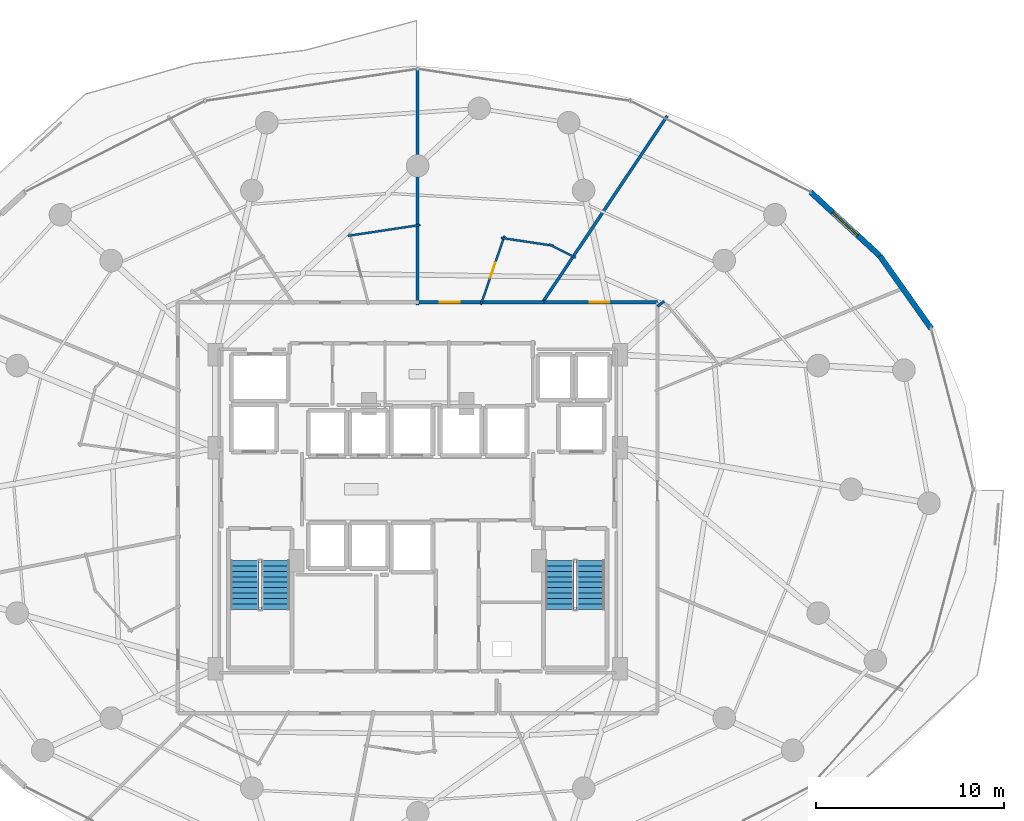
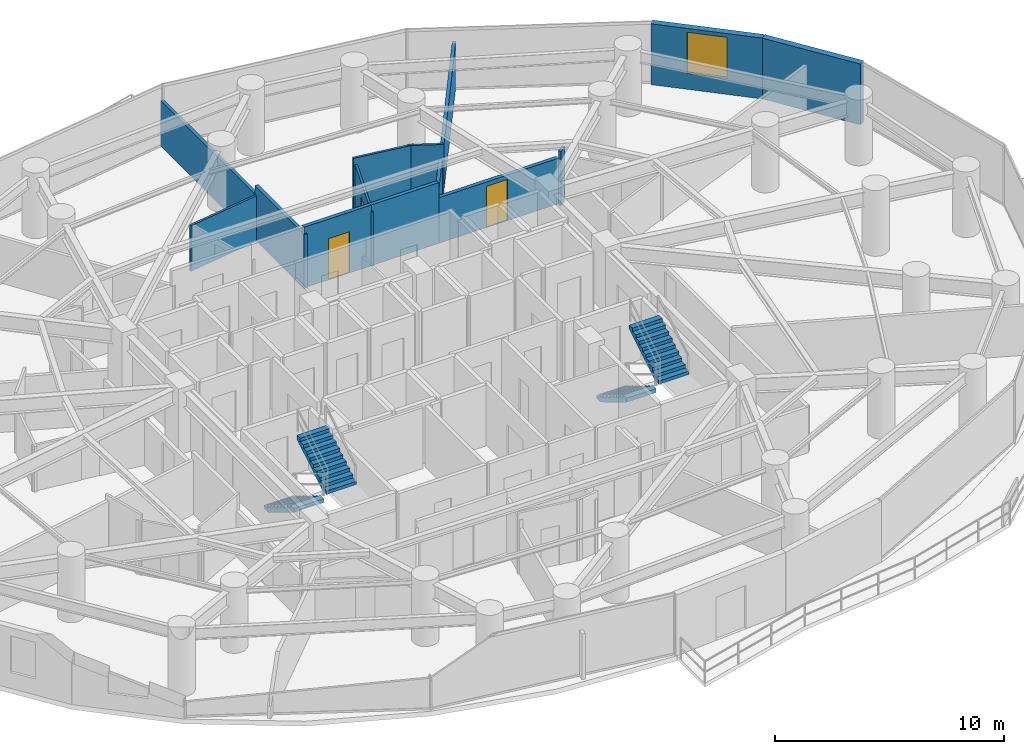
# One storey, part 31 of 35: 13 walls, 4 stair flights, 3 doors, 1 window, 4 openings, 2 elements without a shape of their own.
"""IFC4 building model written with IfcOpenShell, lengths in metres."""

from ifc_helpers import new_model, si_unit, direction, frame, frame_2d, origin, place, context, subcontext, project, spatial, polyline, rectangle, outline, extrude, material, layer, layer_set, type_object, element, fill, aggregate, save


model = new_model("IFC4")

# Units and contexts
model_context = context("Model", 3, precision=1e-05, world=origin(), true_north=direction((0.0, 1.0)))
body_context = subcontext(model_context, "Body", "Model", "MODEL_VIEW")
ifc_project = project(units=[si_unit("LENGTHUNIT", "METRE"), si_unit("AREAUNIT", "SQUARE_METRE"), si_unit("VOLUMEUNIT", "CUBIC_METRE"), si_unit("PLANEANGLEUNIT", "RADIAN"), si_unit("MASSUNIT", "GRAM", prefix="KILO")], contexts=[model_context])

# Site, building, storey
site_placement = place(None, origin())
site = spatial("IfcSite", under=ifc_project, at=site_placement, CompositionType="ELEMENT")
building_placement = place(site_placement, origin())
building = spatial("IfcBuilding", under=site, at=building_placement, Name="Vorneva Point Tower", CompositionType="ELEMENT")
storey_placement = place(building_placement, frame((0.0, 0.0, 52.0)))
storey = spatial("IfcBuildingStorey", under=building, at=storey_placement, Name="L13", CompositionType="ELEMENT", Elevation=52.0)

# Wall
ifc_material_1 = material(Name="Precast concrete B50 (C40/50)", Category="concrete")
ifc_layer_1 = layer(ifc_material_1, 0.300048828125)
ifc_layer_set_1 = layer_set([ifc_layer_1], Name="Precast concrete B50 (C40/50)")
wall_type_1 = type_object("IfcWallType", Name="WL-EXT-300", PredefinedType="STANDARD", material=ifc_layer_set_1)
wall_1_placement = place(storey_placement, frame((65.300537109375, 34.552978515625, 0.0), z_axis=(0.0, 0.0, 1.0), x_axis=(-0.577130815624, 0.816651713803, 0.0)))
element("IfcWall", 1, at=wall_1_placement, inside=storey, type_object=wall_type_1, Name="L13 Pale-Metal Facade Spandrel Wall 02.1", PredefinedType="STANDARD", context=body_context, shape_type="SweptSolid", body=[
    extrude(rectangle(XDim=4.7314453125, YDim=0.300048828125, at=frame_2d((2.36572265625, 0.0))), origin(), (0.0, 0.0, 1.0), 3.239990234375),
])

# Wall, opening, window
wall_2_placement = place(storey_placement, frame((62.56982421875, 38.4169921875, 0.0), z_axis=(0.0, 0.0, 1.0), x_axis=(-0.735342629635, 0.677695519419, 0.0)))
wall_2 = element("IfcWall", 2, at=wall_2_placement, inside=storey, type_object=wall_type_1, Name="L13 Pale-Metal Facade Spandrel Wall 02.2", PredefinedType="STANDARD", context=body_context, shape_type="SweptSolid", body=[
    extrude(rectangle(XDim=4.997314453125, YDim=0.300048828125, at=frame_2d((2.49853515625, 0.0))), origin(), (0.0, 0.0, 1.0), 3.239990234375),
])
opening_1_placement = place(wall_2_placement, frame((1.598876953125, 0.0, 0.85009765625)))
opening_1 = element("IfcOpeningElement", 3, at=opening_1_placement, cuts=wall_2, Name="Opening W-01", PredefinedType="OPENING", context=body_context, shape_type="SweptSolid", body=[
    extrude(rectangle(XDim=1.800048828125, YDim=2.18994140625, at=frame_2d((0.89990234375, 1.094970703125))), frame((0.0, 0.1650390625, 0.0), z_axis=(0.0, -1.0, 0.0), x_axis=(1.0, 0.0, 0.0)), (0.0, 0.0, 1.0), 0.329833984375),
])
ifc_material_2 = material(Name="Double low-e laminated glass IGU", Category="glass")
window_type = type_object("IfcWindowType", Name="WN-LOG-1800", PartitioningType="SINGLE_PANEL", PredefinedType="WINDOW", material=ifc_material_2)
window_placement = place(opening_1_placement, origin())
window = element("IfcWindow", 4, at=window_placement, inside=storey, type_object=window_type, Name="L13 Facade Window 02", OverallHeight=2.18994140625, OverallWidth=1.800048828125, PartitioningType="SINGLE_PANEL", PredefinedType="WINDOW", context=body_context, shape_type="SweptSolid", body=[
    extrude(rectangle(XDim=1.800048828125, YDim=2.18994140625, at=frame_2d((0.89990234375, 1.094970703125))), frame((0.0, 0.030029296875, 0.0), z_axis=(0.0, -1.0, 0.0), x_axis=(1.0, 0.0, 0.0)), (0.0, 0.0, 1.0), 0.06005859375),
])
fill(opening_1, window)

# Walls
ifc_material_3 = material(Name="Fire-rated acoustic gypsum stud partition", Category="gypsum")
ifc_layer_2 = layer(ifc_material_3, 0.110107421875)
ifc_layer_set_2 = layer_set([ifc_layer_2], Name="Fire-rated acoustic gypsum stud partition")
wall_type_2 = type_object("IfcWallType", Name="WL-PART-110", PredefinedType="PARTITIONING", material=ifc_layer_set_2)
wall_3_placement = place(storey_placement, frame((42.431640625, 39.369873046875, 0.0), z_axis=(0.0, 0.0, 1.0), x_axis=(0.988877663763, -0.148731187416, 0.0)))
element("IfcWall", 5, at=wall_3_placement, inside=storey, type_object=wall_type_2, Name="L13 Interior Partition 054", PredefinedType="PARTITIONING", context=body_context, shape_type="SweptSolid", body=[
    extrude(rectangle(XDim=2.84130859375, YDim=0.110107421875, at=frame_2d((1.420654296875, 0.0))), origin(), (0.0, 0.0, 1.0), 3.239990234375),
])
wall_4_placement = place(storey_placement, frame((44.97802734375, 39.03125, 0.0), z_axis=(0.0, 0.0, 1.0), x_axis=(0.892388427115, -0.451268096758, 0.0)))
element("IfcWall", 6, at=wall_4_placement, inside=storey, type_object=wall_type_2, Name="L13 Interior Partition 055", PredefinedType="PARTITIONING", context=body_context, shape_type="SweptSolid", body=[
    extrude(rectangle(XDim=1.587890625, YDim=0.110107421875, at=frame_2d((0.7939453125, 0.0))), origin(), (0.0, 0.0, 1.0), 3.239990234375),
])

# Wall, opening, door
wall_5_placement = place(storey_placement, frame((41.36181640625, 35.8173828125, 0.0), z_axis=(0.0, 0.0, 1.0), x_axis=(0.323669856167, 0.946170082072, 0.0)))
wall_5 = element("IfcWall", 7, at=wall_5_placement, inside=storey, type_object=wall_type_2, Name="L13 Interior Partition 056", PredefinedType="PARTITIONING", context=body_context, shape_type="SweptSolid", body=[
    extrude(rectangle(XDim=3.87255859375, YDim=0.110107421875, at=frame_2d((1.936279296875, 0.0))), origin(), (0.0, 0.0, 1.0), 2.885986328125),
])
opening_2_placement = place(wall_5_placement, frame((1.51123046875, 0.0, 0.0)))
opening_2 = element("IfcOpeningElement", 8, at=opening_2_placement, cuts=wall_5, Name="Opening ID-02", PredefinedType="OPENING", context=body_context, shape_type="SweptSolid", body=[
    extrude(rectangle(XDim=0.85009765625, YDim=2.10009765625, at=frame_2d((0.425048828125, 1.050048828125))), frame((0.0, 0.06982421875, 0.0), z_axis=(0.0, -1.0, 0.0), x_axis=(1.0, 0.0, 0.0)), (0.0, 0.0, 1.0), 0.139892578125),
])
ifc_material_4 = material(Name="Engineered oak fire-rated door leaf", Category="wood")
door_type_1 = type_object("IfcDoorType", Name="DR-BATH-850", OperationType="NOTDEFINED", PredefinedType="DOOR", material=ifc_material_4)
door_1_placement = place(opening_2_placement, origin())
door_1 = element("IfcDoor", 9, at=door_1_placement, inside=storey, type_object=door_type_1, Name="L13 Door Junior Suite L13-02 / En-Suite Bathroom L13-02", OperationType="SINGLE_SWING_RIGHT", OverallHeight=2.10009765625, OverallWidth=0.85009765625, PredefinedType="DOOR", context=body_context, shape_type="SweptSolid", body=[
    extrude(rectangle(XDim=0.85009765625, YDim=2.10009765625, at=frame_2d((0.425048828125, 1.050048828125))), frame((0.0, 0.02490234375, 0.0), z_axis=(0.0, -1.0, 0.0), x_axis=(1.0, 0.0, 0.0)), (0.0, 0.0, 1.0), 0.050048828125),
])
fill(opening_2, door_1)

# Walls
wall_6_placement = place(storey_placement, frame((34.28271484375, 39.477294921875, 0.0), z_axis=(0.0, 0.0, 1.0), x_axis=(0.988889916837, 0.148649696864, 0.0)))
element("IfcWall", 10, at=wall_6_placement, inside=storey, type_object=wall_type_2, Name="L13 Interior Partition 059", PredefinedType="PARTITIONING", context=body_context, shape_type="SweptSolid", body=[
    extrude(rectangle(XDim=3.89892578125, YDim=0.110107421875, at=frame_2d((1.949462890625, 0.0))), origin(), (0.0, 0.0, 1.0), 2.431884765625),
])
ifc_layer_3 = layer(ifc_material_3, 0.139892578125)
ifc_layer_set_3 = layer_set([ifc_layer_3], Name="Fire-rated acoustic gypsum stud partition")
wall_type_3 = type_object("IfcWallType", Name="WL-PART-140", PredefinedType="PARTITIONING", material=ifc_layer_set_3)
wall_7_placement = place(storey_placement, frame((51.09912109375, 35.9970703125, 0.0), z_axis=(0.0, 0.0, 1.0), x_axis=(-0.794185002189, -0.607676050456, 0.0)))
element("IfcWall", 11, at=wall_7_placement, inside=storey, type_object=wall_type_3, Name="L13 Interior Closure Partition 108", PredefinedType="PARTITIONING", context=body_context, shape_type="SweptSolid", body=[
    extrude(rectangle(XDim=0.441162109375, YDim=0.139892578125, at=frame_2d((0.220703125, 0.0))), origin(), (0.0, 0.0, 1.0), 2.885986328125),
])
ifc_layer_4 = layer(ifc_material_3, 0.159912109375)
ifc_layer_set_4 = layer_set([ifc_layer_4], Name="Fire-rated acoustic gypsum stud partition")
wall_type_4 = type_object("IfcWallType", Name="WL-PART-160", PredefinedType="PARTITIONING", material=ifc_layer_set_4)
wall_8_placement = place(storey_placement, frame((51.26708984375, 45.85595703125, 0.0), z_axis=(0.0, 0.0, 1.0), x_axis=(-0.55557946655, -0.831463442581, 0.0)))
element("IfcWall", 12, at=wall_8_placement, inside=storey, type_object=wall_type_4, Name="L13 Interior Partition 052", PredefinedType="PARTITIONING", context=body_context, shape_type="SweptSolid", body=[
    extrude(rectangle(XDim=11.913818359375, YDim=0.159912109375, at=frame_2d((5.95703125, 0.0))), origin(), (0.0, 0.0, 1.0), 2.431884765625),
])
wall_9_placement = place(storey_placement, frame((38.0, 48.35009765625, 0.0), z_axis=(0.0, 0.0, 1.0), x_axis=(0.0, -1.0, 0.0)))
element("IfcWall", 13, at=wall_9_placement, inside=storey, type_object=wall_type_4, Name="L13 Interior Partition 057", PredefinedType="PARTITIONING", context=body_context, shape_type="SweptSolid", body=[
    extrude(rectangle(XDim=8.375, YDim=0.159912109375, at=frame_2d((4.1875, 0.0))), origin(), (0.0, 0.0, 1.0), 2.431884765625),
])
wall_10_placement = place(storey_placement, frame((38.0, 40.114990234375, 0.0), z_axis=(0.0, 0.0, 1.0), x_axis=(0.0, -1.0, 0.0)))
element("IfcWall", 14, at=wall_10_placement, inside=storey, type_object=wall_type_4, Name="L13 Interior Partition 058", PredefinedType="PARTITIONING", context=body_context, shape_type="SweptSolid", body=[
    extrude(rectangle(XDim=4.304931640625, YDim=0.159912109375, at=frame_2d((2.15234375, 0.0))), origin(), (0.0, 0.0, 1.0), 2.885986328125),
])

# Wall, opening, door
ifc_material_5 = material(Name="Autoclaved aerated concrete blockwork", Category="masonry")
ifc_layer_5 = layer(ifc_material_5, 0.179931640625)
ifc_layer_set_5 = layer_set([ifc_layer_5], Name="Autoclaved aerated concrete blockwork")
wall_type_5 = type_object("IfcWallType", Name="WL-PART-180", PredefinedType="PARTITIONING", material=ifc_layer_set_5)
wall_11_placement = place(storey_placement, frame((50.75, 35.949951171875, 0.0), z_axis=(0.0, 0.0, 1.0), x_axis=(-1.0, 0.0, 0.0)))
wall_11 = element("IfcWall", 15, at=wall_11_placement, inside=storey, type_object=wall_type_5, Name="L13 Interior Partition 026", PredefinedType="PARTITIONING", context=body_context, shape_type="SweptSolid", body=[
    extrude(rectangle(XDim=6.162109375, YDim=0.179931640625, at=frame_2d((3.0810546875, 0.0))), origin(), (0.0, 0.0, 1.0), 2.431884765625),
])
opening_3_placement = place(wall_11_placement, frame((2.555908203125, 0.0, 0.0)))
opening_3 = element("IfcOpeningElement", 16, at=opening_3_placement, cuts=wall_11, Name="Opening UD-02", PredefinedType="OPENING", context=body_context, shape_type="SweptSolid", body=[
    extrude(rectangle(XDim=1.050048828125, YDim=2.199951171875, at=frame_2d((0.52490234375, 1.10009765625))), frame((0.0, 0.10498046875, 0.0), z_axis=(0.0, -1.0, 0.0), x_axis=(1.0, 0.0, 0.0)), (0.0, 0.0, 1.0), 0.209716796875),
])
door_type_2 = type_object("IfcDoorType", Name="DR-SUITE-1050", OperationType="NOTDEFINED", PredefinedType="DOOR", material=ifc_material_4)
door_2_placement = place(opening_3_placement, origin())
door_2 = element("IfcDoor", 17, at=door_2_placement, inside=storey, type_object=door_type_2, Name="L13 Door L13 Circulation Corridor / Corner Suite L13-01", OperationType="SINGLE_SWING_LEFT", OverallHeight=2.199951171875, OverallWidth=1.050048828125, PredefinedType="DOOR", context=body_context, shape_type="SweptSolid", body=[
    extrude(rectangle(XDim=1.050048828125, YDim=2.199951171875, at=frame_2d((0.52490234375, 1.10009765625))), frame((0.0, 0.02490234375, 0.0), z_axis=(0.0, -1.0, 0.0), x_axis=(1.0, 0.0, 0.0)), (0.0, 0.0, 1.0), 0.050048828125),
])
fill(opening_3, door_2)

wall_12_placement = place(storey_placement, frame((41.469970703125, 35.949951171875, 0.0), z_axis=(0.0, 0.0, 1.0), x_axis=(-1.0, 0.0, 0.0)))
wall_12 = element("IfcWall", 18, at=wall_12_placement, inside=storey, type_object=wall_type_5, Name="L13 Interior Partition 028", PredefinedType="PARTITIONING", context=body_context, shape_type="SweptSolid", body=[
    extrude(rectangle(XDim=3.530029296875, YDim=0.179931640625, at=frame_2d((1.76513671875, 0.0))), origin(), (0.0, 0.0, 1.0), 3.239990234375),
])
opening_4_placement = place(wall_12_placement, frame((1.239990234375, 0.0, 0.0)))
opening_4 = element("IfcOpeningElement", 19, at=opening_4_placement, cuts=wall_12, Name="Opening UD-02", PredefinedType="OPENING", context=body_context, shape_type="SweptSolid", body=[
    extrude(rectangle(XDim=1.050048828125, YDim=2.199951171875, at=frame_2d((0.52490234375, 1.10009765625))), frame((0.0, 0.10498046875, 0.0), z_axis=(0.0, -1.0, 0.0), x_axis=(1.0, 0.0, 0.0)), (0.0, 0.0, 1.0), 0.209716796875),
])
door_3_placement = place(opening_4_placement, origin())
door_3 = element("IfcDoor", 20, at=door_3_placement, inside=storey, type_object=door_type_2, Name="L13 Door L13 Circulation Corridor / Junior Suite L13-02", OperationType="SINGLE_SWING_RIGHT", OverallHeight=2.199951171875, OverallWidth=1.050048828125, PredefinedType="DOOR", context=body_context, shape_type="SweptSolid", body=[
    extrude(rectangle(XDim=1.050048828125, YDim=2.199951171875, at=frame_2d((0.52490234375, 1.10009765625))), frame((0.0, 0.02490234375, 0.0), z_axis=(0.0, -1.0, 0.0), x_axis=(1.0, 0.0, 0.0)), (0.0, 0.0, 1.0), 0.050048828125),
])
fill(opening_4, door_3)

# Wall
wall_13_placement = place(storey_placement, frame((44.72802734375, 35.949951171875, 0.0), z_axis=(0.0, 0.0, 1.0), x_axis=(-1.0, 0.0, 0.0)))
element("IfcWall", 21, at=wall_13_placement, inside=storey, type_object=wall_type_5, Name="L13 Interior Partition 029", PredefinedType="PARTITIONING", context=body_context, shape_type="SweptSolid", body=[
    extrude(rectangle(XDim=3.39794921875, YDim=0.179931640625, at=frame_2d((1.698974609375, 0.0))), origin(), (0.0, 0.0, 1.0), 3.239990234375),
])

# Stair, stair flights
ifc_material_6 = material(Name="Concrete B50 (C40/50)", Category="concrete")
stair_type = type_object("IfcStairType", Name="ST-DOG-1500", PredefinedType="HALF_TURN_STAIR", material=ifc_material_6)
stair_1_placement = place(storey_placement, origin())
stair_1 = element("IfcStair", 22, at=stair_1_placement, inside=storey, type_object=stair_type, Name="L13 ST1", PredefinedType="HALF_TURN_STAIR")
stair_flight_type = type_object("IfcStairFlightType", Name="STF-1500", PredefinedType="STRAIGHT", material=ifc_material_6)
stair_flight_1_placement = place(storey_placement, frame((28.800048828125, 22.219970703125, 0.0), z_axis=(0.0, 0.0, 1.0), x_axis=(0.0, -1.0, 0.0)))
stair_flight_1 = element("IfcStairFlight", 23, at=stair_flight_1_placement, type_object=stair_flight_type, Name="ST1 flight 1", NumberOfRisers=10, NumberOfTreads=9, PredefinedType="STRAIGHT", RiserHeight=0.175, TreadLength=0.29, context=body_context, shape_type="SweptSolid", body=[
    extrude(outline(polyline([(0.0, 0.0), (0.0, 0.175048828125), (0.2900390625, 0.175048828125), (0.2900390625, 0.35009765625), (0.580078125, 0.35009765625), (0.580078125, 0.52490234375), (0.8701171875, 0.52490234375), (0.8701171875, 0.699951171875), (1.159912109375, 0.699951171875), (1.159912109375, 0.875), (1.449951171875, 0.875), (1.449951171875, 1.050048828125), (1.739990234375, 1.050048828125), (1.739990234375, 1.22509765625), (2.030029296875, 1.22509765625), (2.030029296875, 1.39990234375), (2.320068359375, 1.39990234375), (2.320068359375, 1.574951171875), (2.610107421875, 1.574951171875), (2.610107421875, 1.75), (2.610107421875, 1.36474609375), (0.34814453125, 0.0), (0.0, 0.0)])), frame((0.0, 0.75, 0.0), z_axis=(0.0, -1.0, 0.0), x_axis=(1.0, 0.0, 0.0)), (0.0, 0.0, 1.0), 1.5),
])
stair_flight_2_placement = place(storey_placement, frame((30.449951171875, 19.610107421875, 1.75), z_axis=(0.0, 0.0, 1.0), x_axis=(0.0, 1.0, 0.0)))
stair_flight_2 = element("IfcStairFlight", 24, at=stair_flight_2_placement, type_object=stair_flight_type, Name="ST1 flight 2", NumberOfRisers=10, NumberOfTreads=9, PredefinedType="STRAIGHT", RiserHeight=0.175, TreadLength=0.29, context=body_context, shape_type="SweptSolid", body=[
    extrude(outline(polyline([(0.0, 0.0), (0.0, 0.175048828125), (0.2900390625, 0.175048828125), (0.2900390625, 0.35009765625), (0.580078125, 0.35009765625), (0.580078125, 0.52490234375), (0.8701171875, 0.52490234375), (0.8701171875, 0.699951171875), (1.159912109375, 0.699951171875), (1.159912109375, 0.875), (1.449951171875, 0.875), (1.449951171875, 1.050048828125), (1.739990234375, 1.050048828125), (1.739990234375, 1.22509765625), (2.030029296875, 1.22509765625), (2.030029296875, 1.39990234375), (2.320068359375, 1.39990234375), (2.320068359375, 1.574951171875), (2.610107421875, 1.574951171875), (2.610107421875, 1.75), (2.610107421875, 1.36474609375), (0.34814453125, 0.0), (0.0, 0.0)])), frame((0.0, 0.75, 0.0), z_axis=(0.0, -1.0, 0.0), x_axis=(1.0, 0.0, 0.0)), (0.0, 0.0, 1.0), 1.5),
])
aggregate(stair_1, [stair_flight_1, stair_flight_2])

stair_2_placement = place(storey_placement, origin())
stair_2 = element("IfcStair", 25, at=stair_2_placement, inside=storey, type_object=stair_type, Name="L13 ST2", PredefinedType="HALF_TURN_STAIR")
stair_flight_3_placement = place(storey_placement, frame((45.550048828125, 22.219970703125, 0.0), z_axis=(0.0, 0.0, 1.0), x_axis=(0.0, -1.0, 0.0)))
stair_flight_3 = element("IfcStairFlight", 26, at=stair_flight_3_placement, type_object=stair_flight_type, Name="ST2 flight 1", NumberOfRisers=10, NumberOfTreads=9, PredefinedType="STRAIGHT", RiserHeight=0.175, TreadLength=0.29, context=body_context, shape_type="SweptSolid", body=[
    extrude(outline(polyline([(0.0, 0.0), (0.0, 0.175048828125), (0.2900390625, 0.175048828125), (0.2900390625, 0.35009765625), (0.580078125, 0.35009765625), (0.580078125, 0.52490234375), (0.8701171875, 0.52490234375), (0.8701171875, 0.699951171875), (1.159912109375, 0.699951171875), (1.159912109375, 0.875), (1.449951171875, 0.875), (1.449951171875, 1.050048828125), (1.739990234375, 1.050048828125), (1.739990234375, 1.22509765625), (2.030029296875, 1.22509765625), (2.030029296875, 1.39990234375), (2.320068359375, 1.39990234375), (2.320068359375, 1.574951171875), (2.610107421875, 1.574951171875), (2.610107421875, 1.75), (2.610107421875, 1.36474609375), (0.34814453125, 0.0), (0.0, 0.0)])), frame((0.0, 0.75, 0.0), z_axis=(0.0, -1.0, 0.0), x_axis=(1.0, 0.0, 0.0)), (0.0, 0.0, 1.0), 1.5),
])
stair_flight_4_placement = place(storey_placement, frame((47.199951171875, 19.610107421875, 1.75), z_axis=(0.0, 0.0, 1.0), x_axis=(0.0, 1.0, 0.0)))
stair_flight_4 = element("IfcStairFlight", 27, at=stair_flight_4_placement, type_object=stair_flight_type, Name="ST2 flight 2", NumberOfRisers=10, NumberOfTreads=9, PredefinedType="STRAIGHT", RiserHeight=0.175, TreadLength=0.29, context=body_context, shape_type="SweptSolid", body=[
    extrude(outline(polyline([(0.0, 0.0), (0.0, 0.175048828125), (0.2900390625, 0.175048828125), (0.2900390625, 0.35009765625), (0.580078125, 0.35009765625), (0.580078125, 0.52490234375), (0.8701171875, 0.52490234375), (0.8701171875, 0.699951171875), (1.159912109375, 0.699951171875), (1.159912109375, 0.875), (1.449951171875, 0.875), (1.449951171875, 1.050048828125), (1.739990234375, 1.050048828125), (1.739990234375, 1.22509765625), (2.030029296875, 1.22509765625), (2.030029296875, 1.39990234375), (2.320068359375, 1.39990234375), (2.320068359375, 1.574951171875), (2.610107421875, 1.574951171875), (2.610107421875, 1.75), (2.610107421875, 1.36474609375), (0.34814453125, 0.0), (0.0, 0.0)])), frame((0.0, 0.75, 0.0), z_axis=(0.0, -1.0, 0.0), x_axis=(1.0, 0.0, 0.0)), (0.0, 0.0, 1.0), 1.5),
])
aggregate(stair_2, [stair_flight_3, stair_flight_4])

save(model, "model.ifc")
